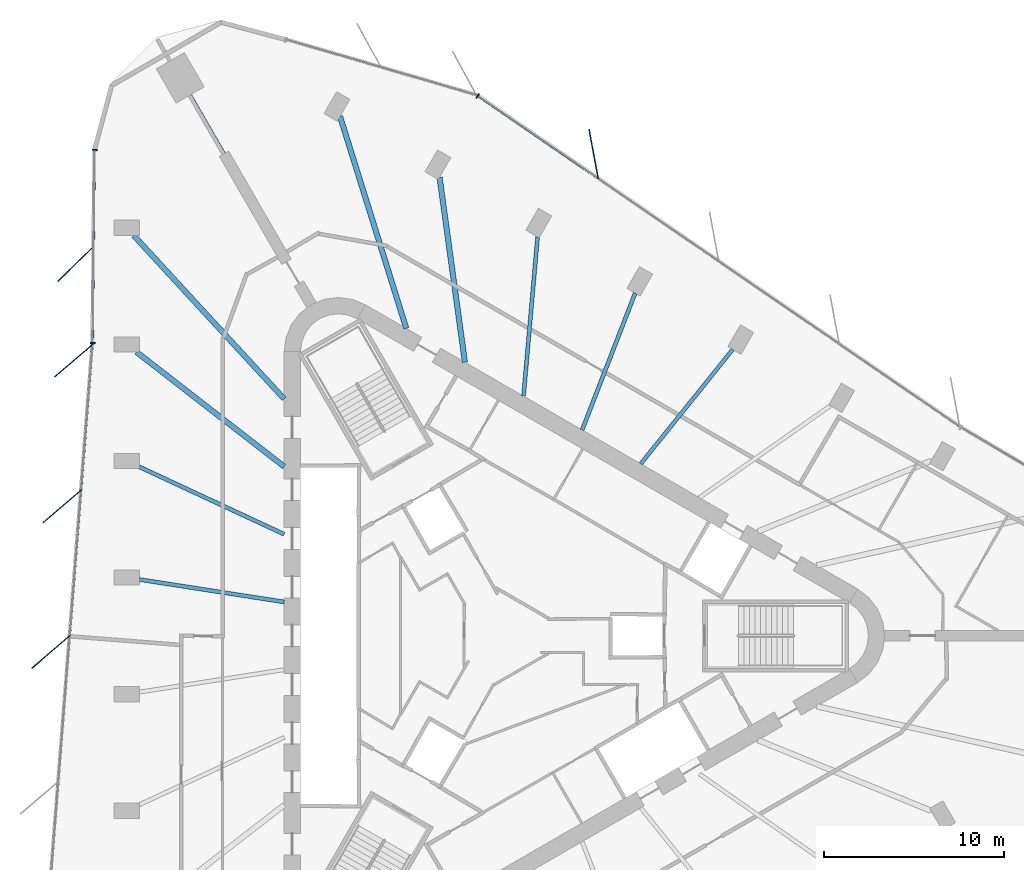
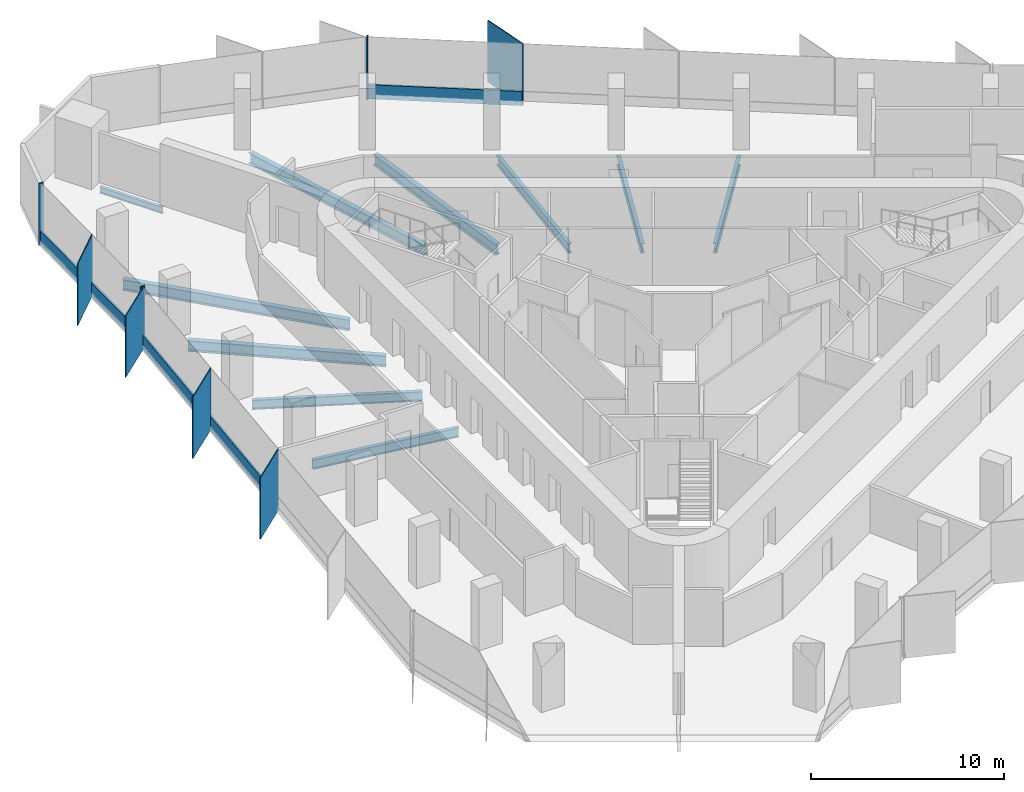
# One storey, part 4 of 14: 13 members, 10 beams, 3 elements without a shape of their own.
"""IFC4 building model written with IfcOpenShell, lengths in metres."""

from ifc_helpers import new_model, si_unit, direction, frame, origin, origin_2d, place, context, subcontext, project, spatial, rectangle, i_section, extrude, material, material_profile, profile_set, type_object, element, aggregate, save


model = new_model("IFC4")

# Units and contexts
model_context = context("Model", 3, precision=1e-05, world=origin(), true_north=direction((0.0, 1.0)))
body_context = subcontext(model_context, "Body", "Model", "MODEL_VIEW")
ifc_project = project(units=[si_unit("LENGTHUNIT", "METRE"), si_unit("AREAUNIT", "SQUARE_METRE"), si_unit("VOLUMEUNIT", "CUBIC_METRE"), si_unit("PLANEANGLEUNIT", "RADIAN"), si_unit("MASSUNIT", "GRAM", prefix="KILO")], contexts=[model_context])

# Site, building, storey
site_placement = place(None, origin())
site = spatial("IfcSite", under=ifc_project, at=site_placement, CompositionType="ELEMENT")
building_placement = place(site_placement, origin())
building = spatial("IfcBuilding", under=site, at=building_placement, Name="Tanit Gate Tower", CompositionType="ELEMENT")
storey_placement = place(building_placement, frame((0.0, 0.0, 302.60009765625)))
storey = spatial("IfcBuildingStorey", under=building, at=storey_placement, Name="L67", CompositionType="ELEMENT", Elevation=302.60009765625)

# Curtain wall, member
ifc_material_1 = material(Name="Aluminium bronze anodised and glass", Category="aluminium")
curtain_wall_type = type_object("IfcCurtainWallType", Name="Curtain wall typical high", PredefinedType="NOTDEFINED", material=ifc_material_1)
curtain_wall_1_placement = place(storey_placement, origin())
curtain_wall_1 = element("IfcCurtainWall", 1, at=curtain_wall_1_placement, inside=storey, type_object=curtain_wall_type, Name="Curtain wall L67 NE2", PredefinedType="NOTDEFINED")
ifc_material_2 = material(Name="Aluminium bronze anodised", Category="aluminium")
ifc_material_profile_1 = material_profile(ifc_material_2, rectangle(XDim=2.800048828125, YDim=0.055908203125, at=origin_2d()), Name="56x2800 bronze fin mullion")
ifc_profile_set_1 = profile_set([ifc_material_profile_1], Name="Aluminium bronze anodised")
member_type_1 = type_object("IfcMemberType", Name="FIN MULLION 56x2800 bronze", PredefinedType="MULLION", material=ifc_profile_set_1)
member_1_placement = place(storey_placement, frame((5.062744140625, 26.718017578125, -0.300048828125), z_axis=(0.0, 0.0, 1.0), x_axis=(0.182847499991, -0.983141287785, 0.0)))
member_1 = element("IfcMember", 2, at=member_1_placement, type_object=member_type_1, Name="Fin mullion L67 NE2.4", PredefinedType="MULLION", context=body_context, shape_type="SweptSolid", body=[
    extrude(rectangle(XDim=2.800048828125, YDim=0.055908203125, at=origin_2d()), origin(), (0.0, 0.0, 1.0), 3.89990234375),
])

curtain_wall_2_placement = place(storey_placement, origin())
curtain_wall_2 = element("IfcCurtainWall", 3, at=curtain_wall_2_placement, inside=storey, type_object=curtain_wall_type, Name="Curtain wall L67 W1", PredefinedType="NOTDEFINED")
member_2_placement = place(storey_placement, frame((-23.65625, 20.632568359375, -0.300048828125), z_axis=(0.0, 0.0, 1.0), x_axis=(0.71424439476, 0.699896381298, 0.0)))
member_2 = element("IfcMember", 4, at=member_2_placement, type_object=member_type_1, Name="Fin mullion L67 W1.2", PredefinedType="MULLION", context=body_context, shape_type="SweptSolid", body=[
    extrude(rectangle(XDim=2.800048828125, YDim=0.055908203125, at=origin_2d()), origin(), (0.0, 0.0, 1.0), 3.89990234375),
])

# Curtain wall, members
curtain_wall_3_placement = place(storey_placement, origin())
curtain_wall_3 = element("IfcCurtainWall", 5, at=curtain_wall_3_placement, inside=storey, type_object=curtain_wall_type, Name="Curtain wall L67 W2", PredefinedType="NOTDEFINED")
member_3_placement = place(storey_placement, frame((-23.77734375, 15.264892578125, -0.300048828125), z_axis=(0.0, 0.0, 1.0), x_axis=(0.760001580735, 0.649921223903, 0.0)))
member_3 = element("IfcMember", 6, at=member_3_placement, type_object=member_type_1, Name="Fin mullion L67 W2.1", PredefinedType="MULLION", context=body_context, shape_type="SweptSolid", body=[
    extrude(rectangle(XDim=2.800048828125, YDim=0.055908203125, at=origin_2d()), origin(), (0.0, 0.0, 1.0), 3.89990234375),
])
member_4_placement = place(storey_placement, frame((-24.407958984375, 7.18505859375, -0.300048828125), z_axis=(0.0, 0.0, 1.0), x_axis=(0.760001580735, 0.649921223903, 0.0)))
member_4 = element("IfcMember", 7, at=member_4_placement, type_object=member_type_1, Name="Fin mullion L67 W2.2", PredefinedType="MULLION", context=body_context, shape_type="SweptSolid", body=[
    extrude(rectangle(XDim=2.800048828125, YDim=0.055908203125, at=origin_2d()), origin(), (0.0, 0.0, 1.0), 3.89990234375),
])
member_5_placement = place(storey_placement, frame((-25.038818359375, -0.894775390625, -0.300048828125), z_axis=(0.0, 0.0, 1.0), x_axis=(0.760001580735, 0.649921223903, 0.0)))
member_5 = element("IfcMember", 8, at=member_5_placement, type_object=member_type_1, Name="Fin mullion L67 W2.3", PredefinedType="MULLION", context=body_context, shape_type="SweptSolid", body=[
    extrude(rectangle(XDim=2.800048828125, YDim=0.055908203125, at=origin_2d()), origin(), (0.0, 0.0, 1.0), 3.89990234375),
])

# Member
ifc_material_3 = material(Name="Aluminium bronze anodised", Category="aluminium")
ifc_material_profile_2 = material_profile(ifc_material_3, rectangle(XDim=0.280029296875, YDim=0.080078125, at=origin_2d()), Name="80x280 bronze mullion")
ifc_profile_set_2 = profile_set([ifc_material_profile_2], Name="Aluminium bronze anodised")
member_type_2 = type_object("IfcMemberType", Name="Mullion 80x280 typical high", PredefinedType="MULLION", material=ifc_profile_set_2)
member_6_placement = place(storey_placement, frame((-1.366943359375, 29.947265625, -0.300048828125), z_axis=(0.0, 0.0, 1.0), x_axis=(-0.56589316429, -0.824478578624, 0.0)))
member_6 = element("IfcMember", 9, at=member_6_placement, type_object=member_type_2, Name="Mullion L67 NE2.5", PredefinedType="MULLION", context=body_context, shape_type="SweptSolid", body=[
    extrude(rectangle(XDim=0.280029296875, YDim=0.080078125, at=origin_2d()), origin(), (0.0, 0.0, 1.0), 3.89990234375),
])

member_7_placement = place(storey_placement, frame((-22.615966796875, 26.955322265625, -0.300048828125), z_axis=(0.0, 0.0, 1.0), x_axis=(0.999948532303, -0.010145577616, 0.0)))
member_7 = element("IfcMember", 10, at=member_7_placement, type_object=member_type_2, Name="Mullion L67 W1.1", PredefinedType="MULLION", context=body_context, shape_type="SweptSolid", body=[
    extrude(rectangle(XDim=0.280029296875, YDim=0.080078125, at=origin_2d()), origin(), (0.0, 0.0, 1.0), 3.89990234375),
])

member_8_placement = place(storey_placement, frame((-22.724853515625, 16.24169921875, -0.300048828125), z_axis=(0.0, 0.0, 1.0), x_axis=(0.999948532303, -0.010145577616, 0.0)))
member_8 = element("IfcMember", 11, at=member_8_placement, type_object=member_type_2, Name="Mullion L67 W1.3", PredefinedType="MULLION", context=body_context, shape_type="SweptSolid", body=[
    extrude(rectangle(XDim=0.280029296875, YDim=0.080078125, at=origin_2d()), origin(), (0.0, 0.0, 1.0), 3.89990234375),
])

# Beams
ifc_material_4 = material(Name="Steel S355", Category="steel")
ifc_material_profile_3 = material_profile(ifc_material_4, i_section(OverallWidth=0.300048828125, OverallDepth=0.68994140625, WebThickness=0.014404296875, FlangeThickness=0.027099609375, FilletRadius=0.027099609375, at=origin_2d()), Name="HEA 700")
ifc_profile_set_3 = profile_set([ifc_material_profile_3], Name="Steel S355")
beam_type_1 = type_object("IfcBeamType", Name="RADIAL GIRDER HEA 700 S355", PredefinedType="BEAM", material=ifc_profile_set_3)
beam_1_placement = place(storey_placement, frame((-3.48291015625, 25.436767578125, -0.64501953125), z_axis=(0.135657975489, -0.990755728566, 0.0), x_axis=(0.990755728566, 0.135657975489, 0.0)))
element("IfcBeam", 12, at=beam_1_placement, inside=storey, type_object=beam_type_1, Name="RADIAL GIRDER", PredefinedType="BEAM", context=body_context, shape_type="SweptSolid", body=[
    extrude(i_section(OverallWidth=0.300048828125, OverallDepth=0.68994140625, WebThickness=0.014404296875, FlangeThickness=0.027099609375, FilletRadius=0.027099609375, at=origin_2d()), origin(), (0.0, 0.0, 1.0), 10.35888671875),
])
beam_2_placement = place(storey_placement, frame((-9.00244140625, 28.804443359375, -0.64501953125), z_axis=(0.298298699316, -0.954472569531, 0.0), x_axis=(0.954472569531, 0.298298699316, 0.0)))
element("IfcBeam", 13, at=beam_2_placement, inside=storey, type_object=beam_type_1, Name="RADIAL GIRDER", PredefinedType="BEAM", context=body_context, shape_type="SweptSolid", body=[
    extrude(i_section(OverallWidth=0.300048828125, OverallDepth=0.68994140625, WebThickness=0.014404296875, FlangeThickness=0.027099609375, FilletRadius=0.027099609375, at=origin_2d()), origin(), (0.0, 0.0, 1.0), 12.314208984375),
])
beam_3_placement = place(storey_placement, frame((-20.444091796875, 22.198486328125, -0.64501953125), z_axis=(0.677443856772, -0.735574483599, 0.0), x_axis=(0.735574483599, 0.677443856772, 0.0)))
element("IfcBeam", 14, at=beam_3_placement, inside=storey, type_object=beam_type_1, Name="RADIAL GIRDER", PredefinedType="BEAM", context=body_context, shape_type="SweptSolid", body=[
    extrude(i_section(OverallWidth=0.300048828125, OverallDepth=0.68994140625, WebThickness=0.014404296875, FlangeThickness=0.027099609375, FilletRadius=0.027099609375, at=origin_2d()), origin(), (0.0, 0.0, 1.0), 12.31396484375),
])
beam_4_placement = place(storey_placement, frame((-20.28759765625, 15.734619140625, -0.64501953125), z_axis=(0.790189054489, -0.612863164308, 0.0), x_axis=(0.612863164308, 0.790189054489, 0.0)))
element("IfcBeam", 15, at=beam_4_placement, inside=storey, type_object=beam_type_1, Name="RADIAL GIRDER", PredefinedType="BEAM", context=body_context, shape_type="SweptSolid", body=[
    extrude(i_section(OverallWidth=0.300048828125, OverallDepth=0.68994140625, WebThickness=0.014404296875, FlangeThickness=0.027099609375, FilletRadius=0.027099609375, at=origin_2d()), origin(), (0.0, 0.0, 1.0), 10.35888671875),
])
ifc_material_5 = material(Name="Steel S355", Category="steel")
ifc_material_profile_4 = material_profile(ifc_material_5, i_section(OverallWidth=0.179931640625, OverallDepth=0.39990234375, WebThickness=0.008544921875, FlangeThickness=0.013427734375, FilletRadius=0.02099609375, at=origin_2d()), Name="IPE 400")
ifc_profile_set_4 = profile_set([ifc_material_profile_4], Name="Steel S355")
beam_type_2 = type_object("IfcBeamType", Name="RADIAL GIRDER IPE 400 S355", PredefinedType="BEAM", material=ifc_profile_set_4)
beam_5_placement = place(storey_placement, frame((-17.3154296875, 29.9912109375, -0.5), z_axis=(0.500007177232, -0.866021259968, 0.0), x_axis=(0.866021259968, 0.500007177232, 0.0)))
element("IfcBeam", 16, at=beam_5_placement, inside=storey, type_object=beam_type_2, Name="RADIAL GIRDER", PredefinedType="BEAM", context=body_context, shape_type="SweptSolid", body=[
    extrude(i_section(OverallWidth=0.179931640625, OverallDepth=0.39990234375, WebThickness=0.008544921875, FlangeThickness=0.013427734375, FilletRadius=0.02099609375, at=origin_2d()), origin(), (0.0, 0.0, 1.0), 3.7607421875),
])
ifc_material_6 = material(Name="Steel S355", Category="steel")
ifc_material_profile_5 = material_profile(ifc_material_6, i_section(OverallWidth=0.219970703125, OverallDepth=0.60009765625, WebThickness=0.011962890625, FlangeThickness=0.01904296875, FilletRadius=0.02392578125, at=origin_2d()), Name="IPE 600")
ifc_profile_set_5 = profile_set([ifc_material_profile_5], Name="Steel S355")
beam_type_3 = type_object("IfcBeamType", Name="RADIAL GIRDER IPE 600 S355", PredefinedType="BEAM", material=ifc_profile_set_5)
for number, where, z_axis, x_axis, name in (
    (17, (12.772705078125, 15.876220703125, -0.60009765625), (-0.626835145211, -0.779151911201, 0.0), (0.779151911201, -0.626835145211, 0.0), "RADIAL GIRDER"),
    (18, (7.36279296875, 18.99951171875, -0.60009765625), (-0.361334449338, -0.932436279711, 0.0), (0.932436279711, -0.361334449338, 0.0), "RADIAL GIRDER"),
):
    element("IfcBeam", number, at=place(storey_placement, frame(where, z_axis=z_axis, x_axis=x_axis)), inside=storey, type_object=beam_type_3, Name=name, PredefinedType="BEAM", context=body_context, shape_type="SweptSolid", body=[
        extrude(i_section(OverallWidth=0.219970703125, OverallDepth=0.60009765625, WebThickness=0.011962890625, FlangeThickness=0.01904296875, FilletRadius=0.02392578125, at=origin_2d()), origin(), (0.0, 0.0, 1.0), 8.129638671875),
    ])
for number, where, z_axis, x_axis, name in (
    (19, (1.952880859375, 22.122802734375, -0.60009765625), (-0.087921954634, -0.996127366301, 0.0), (0.996127366301, -0.087921954634, 0.0), "RADIAL GIRDER"),
    (20, (-20.135498046875, 9.3701171875, -0.60009765625), (0.906633128224, -0.421919863015, 0.0), (0.421919863015, 0.906633128224, 0.0), "RADIAL GIRDER"),
):
    element("IfcBeam", number, at=place(storey_placement, frame(where, z_axis=z_axis, x_axis=x_axis)), inside=storey, type_object=beam_type_3, Name=name, PredefinedType="BEAM", context=body_context, shape_type="SweptSolid", body=[
        extrude(i_section(OverallWidth=0.219970703125, OverallDepth=0.60009765625, WebThickness=0.011962890625, FlangeThickness=0.01904296875, FilletRadius=0.02392578125, at=origin_2d()), origin(), (0.0, 0.0, 1.0), 8.86083984375),
    ])
beam_6_placement = place(storey_placement, frame((-20.135498046875, 3.123291015625, -0.60009765625), z_axis=(0.988182767287, -0.153280195844, 0.0), x_axis=(0.153280195844, 0.988182767287, 0.0)))
element("IfcBeam", 21, at=beam_6_placement, inside=storey, type_object=beam_type_3, Name="RADIAL GIRDER", PredefinedType="BEAM", context=body_context, shape_type="SweptSolid", body=[
    extrude(i_section(OverallWidth=0.219970703125, OverallDepth=0.60009765625, WebThickness=0.011962890625, FlangeThickness=0.01904296875, FilletRadius=0.02392578125, at=origin_2d()), origin(), (0.0, 0.0, 1.0), 8.12939453125),
])

# Member
ifc_material_7 = material(Name="Aluminium bronze anodised", Category="aluminium")
ifc_material_profile_6 = material_profile(ifc_material_7, rectangle(XDim=0.1201171875, YDim=0.89990234375, at=origin_2d()), Name="120x900 bronze transom")
ifc_profile_set_6 = profile_set([ifc_material_profile_6], Name="Aluminium bronze anodised")
member_type_3 = type_object("IfcMemberType", Name="Transom 120x900 typical high", PredefinedType="USERDEFINED", material=ifc_profile_set_6)
member_9_placement = place(storey_placement, frame((5.281982421875, 25.383544921875, 0.14990234375), z_axis=(-0.824475777341, 0.565897245601, 0.0), x_axis=(-0.565897245601, -0.824475777341, 0.0)))
member_9 = element("IfcMember", 22, at=member_9_placement, type_object=member_type_3, Name="Transom L67 NE2.4", ObjectType="TRANSOM", PredefinedType="USERDEFINED", context=body_context, shape_type="SweptSolid", body=[
    extrude(rectangle(XDim=0.1201171875, YDim=0.89990234375, at=origin_2d()), origin(), (0.0, 0.0, 1.0), 8.0244140625),
])

aggregate(curtain_wall_1, [member_1, member_6, member_9])

member_10_placement = place(storey_placement, frame((-22.616455078125, 26.915283203125, 0.14990234375), z_axis=(-0.010132270306, -0.999948667232, 0.0), x_axis=(0.999948667232, -0.010132270306, 0.0)))
member_10 = element("IfcMember", 23, at=member_10_placement, type_object=member_type_3, Name="Transom L67 W1.1", ObjectType="TRANSOM", PredefinedType="USERDEFINED", context=body_context, shape_type="SweptSolid", body=[
    extrude(rectangle(XDim=0.1201171875, YDim=0.89990234375, at=origin_2d()), origin(), (0.0, 0.0, 1.0), 5.27685546875),
])

member_11_placement = place(storey_placement, frame((-22.6708984375, 21.55859375, 0.14990234375), z_axis=(-0.010131801571, -0.999948671981, 0.0), x_axis=(0.999948671981, -0.010131801571, 0.0)))
member_11 = element("IfcMember", 24, at=member_11_placement, type_object=member_type_3, Name="Transom L67 W1.2", ObjectType="TRANSOM", PredefinedType="USERDEFINED", context=body_context, shape_type="SweptSolid", body=[
    extrude(rectangle(XDim=0.1201171875, YDim=0.89990234375, at=origin_2d()), origin(), (0.0, 0.0, 1.0), 5.277099609375),
])

aggregate(curtain_wall_2, [member_7, member_2, member_8, member_10, member_11])

member_12_placement = place(storey_placement, frame((-22.7314453125, 16.1220703125, 0.14990234375), z_axis=(-0.077827186267, -0.996966864584, 0.0), x_axis=(0.996966864584, -0.077827186267, 0.0)))
member_12 = element("IfcMember", 25, at=member_12_placement, type_object=member_type_3, Name="Transom L67 W2.1", ObjectType="TRANSOM", PredefinedType="USERDEFINED", context=body_context, shape_type="SweptSolid", body=[
    extrude(rectangle(XDim=0.1201171875, YDim=0.89990234375, at=origin_2d()), origin(), (0.0, 0.0, 1.0), 8.0244140625),
])

member_13_placement = place(storey_placement, frame((-23.3623046875, 8.042236328125, 0.14990234375), z_axis=(-0.077827186267, -0.996966864584, 0.0), x_axis=(0.996966864584, -0.077827186267, 0.0)))
member_13 = element("IfcMember", 26, at=member_13_placement, type_object=member_type_3, Name="Transom L67 W2.2", ObjectType="TRANSOM", PredefinedType="USERDEFINED", context=body_context, shape_type="SweptSolid", body=[
    extrude(rectangle(XDim=0.1201171875, YDim=0.89990234375, at=origin_2d()), origin(), (0.0, 0.0, 1.0), 8.0244140625),
])

aggregate(curtain_wall_3, [member_3, member_4, member_5, member_12, member_13])

save(model, "model.ifc")
